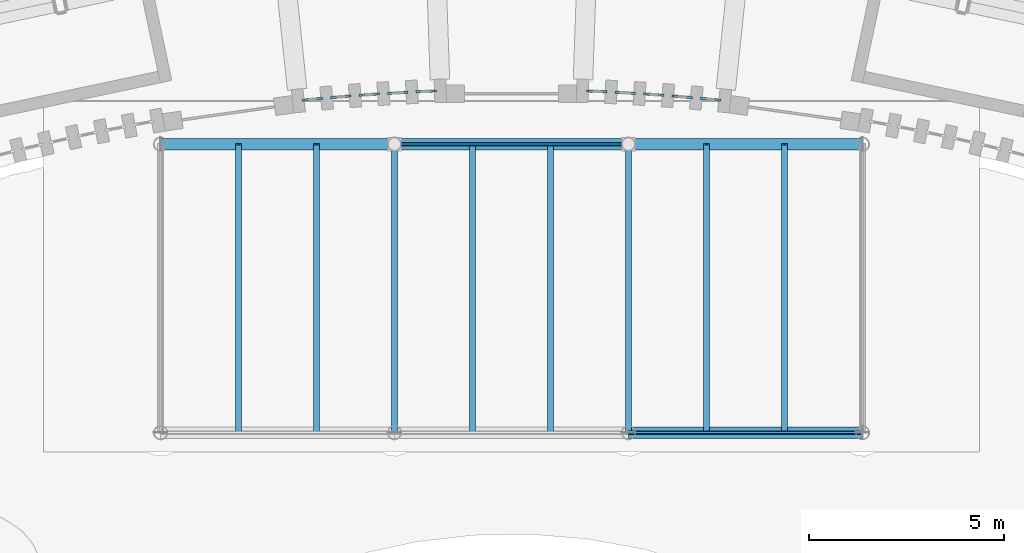
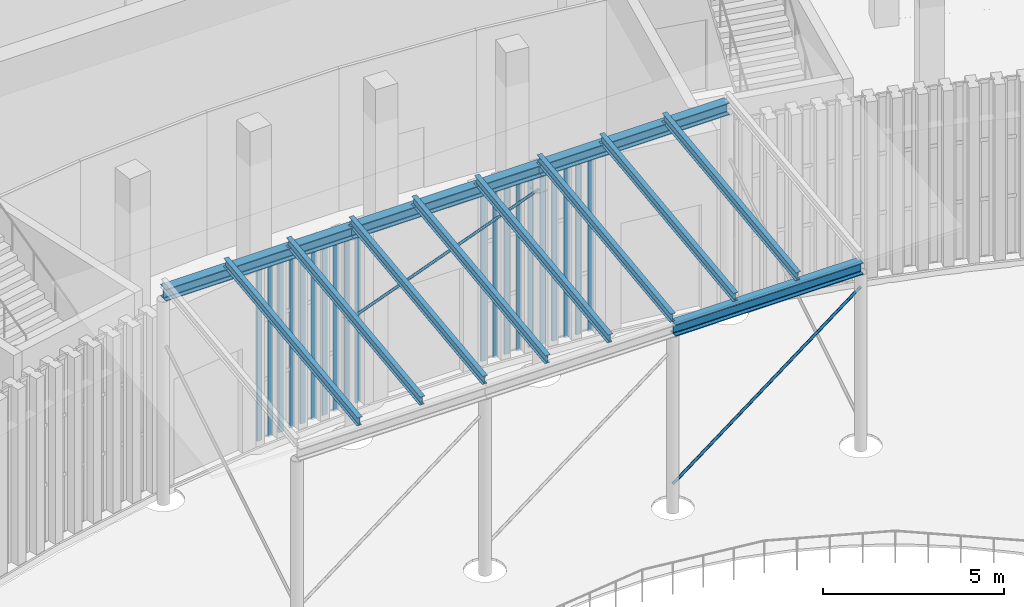
# One storey, part 30 of 155: 22 members, 12 beams, 10 elements without a shape of their own.
"""IFC4 building model written with IfcOpenShell, lengths in metres."""

from ifc_helpers import new_model, si_unit, direction, frame, origin, origin_2d, place, context, subcontext, project, spatial, rectangle, hollow_circle, i_section, extrude, material, layer, layer_set, material_profile, profile_set, type_object, element, aggregate, save


model = new_model("IFC4")

# Units and contexts
model_context = context("Model", 3, precision=1e-05, world=origin(), true_north=direction((0.0, 1.0)))
body_context = subcontext(model_context, "Body", "Model", "MODEL_VIEW")
ifc_project = project(units=[si_unit("LENGTHUNIT", "METRE"), si_unit("AREAUNIT", "SQUARE_METRE"), si_unit("VOLUMEUNIT", "CUBIC_METRE"), si_unit("PLANEANGLEUNIT", "RADIAN"), si_unit("MASSUNIT", "GRAM", prefix="KILO")], contexts=[model_context])

# Site, building, storey
site_placement = place(None, origin())
site = spatial("IfcSite", under=ifc_project, at=site_placement, CompositionType="ELEMENT")
building_placement = place(site_placement, origin())
building = spatial("IfcBuilding", under=site, at=building_placement, Name="Lunette Opera House", CompositionType="ELEMENT")
storey_placement = place(building_placement, origin())
storey = spatial("IfcBuildingStorey", under=building, at=storey_placement, Name="L00", CompositionType="ELEMENT", Elevation=0.0)

# Members
ifc_material_1 = material(Name="Steel S355", Category="steel")
ifc_material_profile_1 = material_profile(ifc_material_1, hollow_circle(Radius=0.04443359375, WallThickness=0.00390625, at=origin_2d()), Name="CHS 88.9X4")
ifc_profile_set_1 = profile_set([ifc_material_profile_1], Name="Steel S355")
member_type_1 = type_object("IfcMemberType", Name="BRACING CHS 88.9X4", PredefinedType="BRACE", material=ifc_profile_set_1)
member_1_placement = place(storey_placement, frame((99.0, 43.5, 0.800048828125), z_axis=(0.796096023069, 0.0, 0.605170324828), x_axis=(0.0, 1.0, 0.0)))
element("IfcMember", 1, at=member_1_placement, inside=storey, type_object=member_type_1, Name="mem-EC-L00-BR3", PredefinedType="BRACE", context=body_context, shape_type="SweptSolid", body=[
    extrude(hollow_circle(Radius=0.04443359375, WallThickness=0.00390625, at=origin_2d()), origin(), (0.0, 0.0, 1.0), 7.536865234375),
])
member_2_placement = place(storey_placement, frame((93.0, 50.89990234375, 4.0), z_axis=(0.935500615158, 0.0, 0.353325061438), x_axis=(0.0, 1.0, 0.0)))
element("IfcMember", 2, at=member_2_placement, inside=storey, type_object=member_type_1, Name="mem-EC-L00-BR9", PredefinedType="BRACE", context=body_context, shape_type="SweptSolid", body=[
    extrude(hollow_circle(Radius=0.04443359375, WallThickness=0.00390625, at=origin_2d()), origin(), (0.0, 0.0, 1.0), 6.41357421875),
])

# Curtain wall, members
ifc_material_2 = material(Name="Aluminium", Category="aluminium")
ifc_layer = layer(ifc_material_2, 0.1201171875)
ifc_layer_set = layer_set([ifc_layer], Name="Aluminium")
curtain_wall_type = type_object("IfcCurtainWallType", Name="SLOT CURTAIN WALL", PredefinedType="NOTDEFINED", material=ifc_layer_set)
curtain_wall_1_placement = place(storey_placement, origin())
curtain_wall_1 = element("IfcCurtainWall", 3, at=curtain_wall_1_placement, inside=storey, type_object=curtain_wall_type, Name="Slot Curtain Wall CS036 L00", PredefinedType="NOTDEFINED")
ifc_material_3 = material(Name="Aluminium", Category="aluminium")
ifc_material_profile_2 = material_profile(ifc_material_3, rectangle(XDim=0.06005859375, YDim=0.159912109375, at=origin_2d()), Name="MULLION 60 X 160")
ifc_profile_set_2 = profile_set([ifc_material_profile_2], Name="Aluminium")
member_type_2 = type_object("IfcMemberType", Name="MULLION 60 X 160", PredefinedType="MULLION", material=ifc_profile_set_2)
member_3_placement = place(storey_placement, frame((90.7119140625, 52.031982421875, 0.0), z_axis=(0.0, 0.0, 1.0), x_axis=(-0.097436256965, 0.995241767526, 0.0)))
member_3 = element("IfcMember", 4, at=member_3_placement, type_object=member_type_2, Name="FC-X2071 mullion 1", PredefinedType="MULLION", context=body_context, shape_type="SweptSolid", body=[
    extrude(rectangle(XDim=0.06005859375, YDim=0.159912109375, at=origin_2d()), origin(), (0.0, 0.0, 1.0), 6.0),
])
member_4_placement = place(storey_placement, frame((91.0810546875, 52.068115234375, 0.0), z_axis=(0.0, 0.0, 1.0), x_axis=(-0.097436256965, 0.995241767526, 0.0)))
member_4 = element("IfcMember", 5, at=member_4_placement, type_object=member_type_2, Name="FC-X2071 mullion 2", PredefinedType="MULLION", context=body_context, shape_type="SweptSolid", body=[
    extrude(rectangle(XDim=0.06005859375, YDim=0.159912109375, at=origin_2d()), origin(), (0.0, 0.0, 1.0), 6.0),
])
aggregate(curtain_wall_1, [member_3, member_4])

curtain_wall_2_placement = place(storey_placement, origin())
curtain_wall_2 = element("IfcCurtainWall", 6, at=curtain_wall_2_placement, inside=storey, type_object=curtain_wall_type, Name="Slot Curtain Wall CS037 L00", PredefinedType="NOTDEFINED")
member_5_placement = place(storey_placement, frame((91.43896484375, 52.1005859375, 0.0), z_axis=(0.0, 0.0, 1.0), x_axis=(-0.083622170575, 0.996497532655, 0.0)))
member_5 = element("IfcMember", 7, at=member_5_placement, type_object=member_type_2, Name="FC-X2073 mullion 1", PredefinedType="MULLION", context=body_context, shape_type="SweptSolid", body=[
    extrude(rectangle(XDim=0.06005859375, YDim=0.159912109375, at=origin_2d()), origin(), (0.0, 0.0, 1.0), 6.0),
])
member_6_placement = place(storey_placement, frame((91.80810546875, 52.131591796875, 0.0), z_axis=(0.0, 0.0, 1.0), x_axis=(-0.083622170575, 0.996497532655, 0.0)))
member_6 = element("IfcMember", 8, at=member_6_placement, type_object=member_type_2, Name="FC-X2073 mullion 2", PredefinedType="MULLION", context=body_context, shape_type="SweptSolid", body=[
    extrude(rectangle(XDim=0.06005859375, YDim=0.159912109375, at=origin_2d()), origin(), (0.0, 0.0, 1.0), 6.0),
])
aggregate(curtain_wall_2, [member_5, member_6])

curtain_wall_3_placement = place(storey_placement, origin())
curtain_wall_3 = element("IfcCurtainWall", 9, at=curtain_wall_3_placement, inside=storey, type_object=curtain_wall_type, Name="Slot Curtain Wall CS038 L00", PredefinedType="NOTDEFINED")
member_7_placement = place(storey_placement, frame((92.1669921875, 52.1591796875, 0.0), z_axis=(0.0, 0.0, 1.0), x_axis=(-0.069759707987, 0.997563824094, 0.0)))
member_7 = element("IfcMember", 10, at=member_7_placement, type_object=member_type_2, Name="FC-X2075 mullion 1", PredefinedType="MULLION", context=body_context, shape_type="SweptSolid", body=[
    extrude(rectangle(XDim=0.06005859375, YDim=0.159912109375, at=origin_2d()), origin(), (0.0, 0.0, 1.0), 6.0),
])
member_8_placement = place(storey_placement, frame((92.5361328125, 52.184814453125, 0.0), z_axis=(0.0, 0.0, 1.0), x_axis=(-0.069759707987, 0.997563824094, 0.0)))
member_8 = element("IfcMember", 11, at=member_8_placement, type_object=member_type_2, Name="FC-X2075 mullion 2", PredefinedType="MULLION", context=body_context, shape_type="SweptSolid", body=[
    extrude(rectangle(XDim=0.06005859375, YDim=0.159912109375, at=origin_2d()), origin(), (0.0, 0.0, 1.0), 6.0),
])
aggregate(curtain_wall_3, [member_7, member_8])

curtain_wall_4_placement = place(storey_placement, origin())
curtain_wall_4 = element("IfcCurtainWall", 12, at=curtain_wall_4_placement, inside=storey, type_object=curtain_wall_type, Name="Slot Curtain Wall CS039 L00", PredefinedType="NOTDEFINED")
member_9_placement = place(storey_placement, frame((92.89599609375, 52.207763671875, 0.0), z_axis=(0.0, 0.0, 1.0), x_axis=(-0.055856715797, 0.99843879497, 0.0)))
member_9 = element("IfcMember", 13, at=member_9_placement, type_object=member_type_2, Name="FC-X2077 mullion 1", PredefinedType="MULLION", context=body_context, shape_type="SweptSolid", body=[
    extrude(rectangle(XDim=0.06005859375, YDim=0.159912109375, at=origin_2d()), origin(), (0.0, 0.0, 1.0), 6.0),
])
member_10_placement = place(storey_placement, frame((93.26513671875, 52.228271484375, 0.0), z_axis=(0.0, 0.0, 1.0), x_axis=(-0.055856715797, 0.99843879497, 0.0)))
member_10 = element("IfcMember", 14, at=member_10_placement, type_object=member_type_2, Name="FC-X2077 mullion 2", PredefinedType="MULLION", context=body_context, shape_type="SweptSolid", body=[
    extrude(rectangle(XDim=0.06005859375, YDim=0.159912109375, at=origin_2d()), origin(), (0.0, 0.0, 1.0), 6.0),
])
aggregate(curtain_wall_4, [member_9, member_10])

curtain_wall_5_placement = place(storey_placement, origin())
curtain_wall_5 = element("IfcCurtainWall", 15, at=curtain_wall_5_placement, inside=storey, type_object=curtain_wall_type, Name="Slot Curtain Wall CS040 L00", PredefinedType="NOTDEFINED")
member_11_placement = place(storey_placement, frame((93.625, 52.246337890625, 0.0), z_axis=(0.0, 0.0, 1.0), x_axis=(-0.04182383723, 0.999125000508, 0.0)))
member_11 = element("IfcMember", 16, at=member_11_placement, type_object=member_type_2, Name="FC-X2079 mullion 1", PredefinedType="MULLION", context=body_context, shape_type="SweptSolid", body=[
    extrude(rectangle(XDim=0.06005859375, YDim=0.159912109375, at=origin_2d()), origin(), (0.0, 0.0, 1.0), 6.0),
])
member_12_placement = place(storey_placement, frame((93.9951171875, 52.26171875, 0.0), z_axis=(0.0, 0.0, 1.0), x_axis=(-0.04182383723, 0.999125000508, 0.0)))
member_12 = element("IfcMember", 17, at=member_12_placement, type_object=member_type_2, Name="FC-X2079 mullion 2", PredefinedType="MULLION", context=body_context, shape_type="SweptSolid", body=[
    extrude(rectangle(XDim=0.06005859375, YDim=0.159912109375, at=origin_2d()), origin(), (0.0, 0.0, 1.0), 6.0),
])
aggregate(curtain_wall_5, [member_11, member_12])

curtain_wall_6_placement = place(storey_placement, origin())
curtain_wall_6 = element("IfcCurtainWall", 18, at=curtain_wall_6_placement, inside=storey, type_object=curtain_wall_type, Name="Slot Curtain Wall CS041 L00", PredefinedType="NOTDEFINED")
member_13_placement = place(storey_placement, frame((98.0048828125, 52.26171875, 0.0), z_axis=(0.0, 0.0, 1.0), x_axis=(0.04182383723, 0.999125000508, 0.0)))
member_13 = element("IfcMember", 19, at=member_13_placement, type_object=member_type_2, Name="FC-X2081 mullion 1", PredefinedType="MULLION", context=body_context, shape_type="SweptSolid", body=[
    extrude(rectangle(XDim=0.06005859375, YDim=0.159912109375, at=origin_2d()), origin(), (0.0, 0.0, 1.0), 6.0),
])
member_14_placement = place(storey_placement, frame((98.375, 52.246337890625, 0.0), z_axis=(0.0, 0.0, 1.0), x_axis=(0.04182383723, 0.999125000508, 0.0)))
member_14 = element("IfcMember", 20, at=member_14_placement, type_object=member_type_2, Name="FC-X2081 mullion 2", PredefinedType="MULLION", context=body_context, shape_type="SweptSolid", body=[
    extrude(rectangle(XDim=0.06005859375, YDim=0.159912109375, at=origin_2d()), origin(), (0.0, 0.0, 1.0), 6.0),
])
aggregate(curtain_wall_6, [member_13, member_14])

curtain_wall_7_placement = place(storey_placement, origin())
curtain_wall_7 = element("IfcCurtainWall", 21, at=curtain_wall_7_placement, inside=storey, type_object=curtain_wall_type, Name="Slot Curtain Wall CS042 L00", PredefinedType="NOTDEFINED")
member_15_placement = place(storey_placement, frame((98.73486328125, 52.228271484375, 0.0), z_axis=(0.0, 0.0, 1.0), x_axis=(0.055856715797, 0.99843879497, 0.0)))
member_15 = element("IfcMember", 22, at=member_15_placement, type_object=member_type_2, Name="FC-X2083 mullion 1", PredefinedType="MULLION", context=body_context, shape_type="SweptSolid", body=[
    extrude(rectangle(XDim=0.06005859375, YDim=0.159912109375, at=origin_2d()), origin(), (0.0, 0.0, 1.0), 6.0),
])
member_16_placement = place(storey_placement, frame((99.10400390625, 52.207763671875, 0.0), z_axis=(0.0, 0.0, 1.0), x_axis=(0.055856715797, 0.99843879497, 0.0)))
member_16 = element("IfcMember", 23, at=member_16_placement, type_object=member_type_2, Name="FC-X2083 mullion 2", PredefinedType="MULLION", context=body_context, shape_type="SweptSolid", body=[
    extrude(rectangle(XDim=0.06005859375, YDim=0.159912109375, at=origin_2d()), origin(), (0.0, 0.0, 1.0), 6.0),
])
aggregate(curtain_wall_7, [member_15, member_16])

curtain_wall_8_placement = place(storey_placement, origin())
curtain_wall_8 = element("IfcCurtainWall", 24, at=curtain_wall_8_placement, inside=storey, type_object=curtain_wall_type, Name="Slot Curtain Wall CS043 L00", PredefinedType="NOTDEFINED")
member_17_placement = place(storey_placement, frame((99.4638671875, 52.184814453125, 0.0), z_axis=(0.0, 0.0, 1.0), x_axis=(0.069759707987, 0.997563824094, 0.0)))
member_17 = element("IfcMember", 25, at=member_17_placement, type_object=member_type_2, Name="FC-X2085 mullion 1", PredefinedType="MULLION", context=body_context, shape_type="SweptSolid", body=[
    extrude(rectangle(XDim=0.06005859375, YDim=0.159912109375, at=origin_2d()), origin(), (0.0, 0.0, 1.0), 6.0),
])
member_18_placement = place(storey_placement, frame((99.8330078125, 52.1591796875, 0.0), z_axis=(0.0, 0.0, 1.0), x_axis=(0.069759707987, 0.997563824094, 0.0)))
member_18 = element("IfcMember", 26, at=member_18_placement, type_object=member_type_2, Name="FC-X2085 mullion 2", PredefinedType="MULLION", context=body_context, shape_type="SweptSolid", body=[
    extrude(rectangle(XDim=0.06005859375, YDim=0.159912109375, at=origin_2d()), origin(), (0.0, 0.0, 1.0), 6.0),
])
aggregate(curtain_wall_8, [member_17, member_18])

curtain_wall_9_placement = place(storey_placement, origin())
curtain_wall_9 = element("IfcCurtainWall", 27, at=curtain_wall_9_placement, inside=storey, type_object=curtain_wall_type, Name="Slot Curtain Wall CS044 L00", PredefinedType="NOTDEFINED")
member_19_placement = place(storey_placement, frame((100.19189453125, 52.131591796875, 0.0), z_axis=(0.0, 0.0, 1.0), x_axis=(0.083622170575, 0.996497532655, 0.0)))
member_19 = element("IfcMember", 28, at=member_19_placement, type_object=member_type_2, Name="FC-X2087 mullion 1", PredefinedType="MULLION", context=body_context, shape_type="SweptSolid", body=[
    extrude(rectangle(XDim=0.06005859375, YDim=0.159912109375, at=origin_2d()), origin(), (0.0, 0.0, 1.0), 6.0),
])
member_20_placement = place(storey_placement, frame((100.56103515625, 52.1005859375, 0.0), z_axis=(0.0, 0.0, 1.0), x_axis=(0.083622170575, 0.996497532655, 0.0)))
member_20 = element("IfcMember", 29, at=member_20_placement, type_object=member_type_2, Name="FC-X2087 mullion 2", PredefinedType="MULLION", context=body_context, shape_type="SweptSolid", body=[
    extrude(rectangle(XDim=0.06005859375, YDim=0.159912109375, at=origin_2d()), origin(), (0.0, 0.0, 1.0), 6.0),
])
aggregate(curtain_wall_9, [member_19, member_20])

curtain_wall_10_placement = place(storey_placement, origin())
curtain_wall_10 = element("IfcCurtainWall", 30, at=curtain_wall_10_placement, inside=storey, type_object=curtain_wall_type, Name="Slot Curtain Wall CS045 L00", PredefinedType="NOTDEFINED")
member_21_placement = place(storey_placement, frame((100.9189453125, 52.068115234375, 0.0), z_axis=(0.0, 0.0, 1.0), x_axis=(0.097436256965, 0.995241767526, 0.0)))
member_21 = element("IfcMember", 31, at=member_21_placement, type_object=member_type_2, Name="FC-X2089 mullion 1", PredefinedType="MULLION", context=body_context, shape_type="SweptSolid", body=[
    extrude(rectangle(XDim=0.06005859375, YDim=0.159912109375, at=origin_2d()), origin(), (0.0, 0.0, 1.0), 6.0),
])
member_22_placement = place(storey_placement, frame((101.2880859375, 52.031982421875, 0.0), z_axis=(0.0, 0.0, 1.0), x_axis=(0.097436256965, 0.995241767526, 0.0)))
member_22 = element("IfcMember", 32, at=member_22_placement, type_object=member_type_2, Name="FC-X2089 mullion 2", PredefinedType="MULLION", context=body_context, shape_type="SweptSolid", body=[
    extrude(rectangle(XDim=0.06005859375, YDim=0.159912109375, at=origin_2d()), origin(), (0.0, 0.0, 1.0), 6.0),
])
aggregate(curtain_wall_10, [member_21, member_22])

# Beams
ifc_material_4 = material(Name="Steel S355", Category="steel")
ifc_material_profile_3 = material_profile(ifc_material_4, i_section(OverallWidth=0.300048828125, OverallDepth=0.39990234375, WebThickness=0.013427734375, FlangeThickness=0.02392578125, FilletRadius=0.027099609375, at=origin_2d()), Name="HEB 400")
ifc_profile_set_3 = profile_set([ifc_material_profile_3], Name="Steel S355")
beam_type_1 = type_object("IfcBeamType", Name="STEEL BEAM HEB 400", PredefinedType="BEAM", material=ifc_profile_set_3)
for number, where, z_axis, x_axis, name in (
    (33, (99.0, 43.5, 6.06103515625), (1.0, 0.0, 0.0), (0.0, 1.0, 0.0), "beam-EC-L00-PB4-3"),
    (34, (87.0, 50.89990234375, 6.966064453125), (1.0, 0.0, 0.0), (0.0, 1.0, 0.0), "beam-EC-L00-PB8-1"),
    (35, (93.0, 50.89990234375, 6.966064453125), (1.0, 0.0, 0.0), (0.0, 1.0, 0.0), "beam-EC-L00-PB8-2"),
    (36, (99.0, 50.89990234375, 6.966064453125), (1.0, 0.0, 0.0), (0.0, 1.0, 0.0), "beam-EC-L00-PB8-3"),
):
    element("IfcBeam", number, at=place(storey_placement, frame(where, z_axis=z_axis, x_axis=x_axis)), inside=storey, type_object=beam_type_1, Name=name, PredefinedType="BEAM", context=body_context, shape_type="SweptSolid", body=[
        extrude(i_section(OverallWidth=0.300048828125, OverallDepth=0.39990234375, WebThickness=0.013427734375, FlangeThickness=0.02392578125, FilletRadius=0.027099609375, at=origin_2d()), origin(), (0.0, 0.0, 1.0), 6.0),
    ])
ifc_material_5 = material(Name="Steel S355", Category="steel")
ifc_material_profile_4 = material_profile(ifc_material_5, i_section(OverallWidth=0.14990234375, OverallDepth=0.300048828125, WebThickness=0.007080078125, FlangeThickness=0.0107421875, FilletRadius=0.014892578125, at=origin_2d()), Name="IPE 300")
ifc_profile_set_4 = profile_set([ifc_material_profile_4], Name="Steel S355")
beam_type_2 = type_object("IfcBeamType", Name="STEEL BEAM IPE 300", PredefinedType="BEAM", material=ifc_profile_set_4)
for number, where, z_axis, x_axis, name in (
    (37, (89.0, 43.5, 6.410888671875), (0.0, 0.992603874681, 0.121398302984), (-1.0, 0.0, 0.0), "beam-EC-L00-SB1"),
    (38, (91.0, 43.5, 6.410888671875), (0.0, 0.992603874681, 0.121398302984), (-1.0, 0.0, 0.0), "beam-EC-L00-SB2"),
    (39, (93.0, 43.5, 6.410888671875), (0.0, 0.992603874681, 0.121398302984), (-1.0, 0.0, 0.0), "beam-EC-L00-SB3"),
    (40, (95.0, 43.5, 6.410888671875), (0.0, 0.992603874681, 0.121398302984), (-1.0, 0.0, 0.0), "beam-EC-L00-SB4"),
    (41, (97.0, 43.5, 6.410888671875), (0.0, 0.992603874681, 0.121398302984), (-1.0, 0.0, 0.0), "beam-EC-L00-SB5"),
    (42, (99.0, 43.5, 6.410888671875), (0.0, 0.992603874681, 0.121398302984), (-1.0, 0.0, 0.0), "beam-EC-L00-SB6"),
    (43, (101.0, 43.5, 6.410888671875), (0.0, 0.992603874681, 0.121398302984), (-1.0, 0.0, 0.0), "beam-EC-L00-SB7"),
    (44, (103.0, 43.5, 6.410888671875), (0.0, 0.992603874681, 0.121398302984), (-1.0, 0.0, 0.0), "beam-EC-L00-SB8"),
):
    element("IfcBeam", number, at=place(storey_placement, frame(where, z_axis=z_axis, x_axis=x_axis)), inside=storey, type_object=beam_type_2, Name=name, PredefinedType="BEAM", context=body_context, shape_type="SweptSolid", body=[
        extrude(i_section(OverallWidth=0.14990234375, OverallDepth=0.300048828125, WebThickness=0.007080078125, FlangeThickness=0.0107421875, FilletRadius=0.014892578125, at=origin_2d()), origin(), (0.0, 0.0, 1.0), 7.455078125),
    ])

save(model, "model.ifc")
